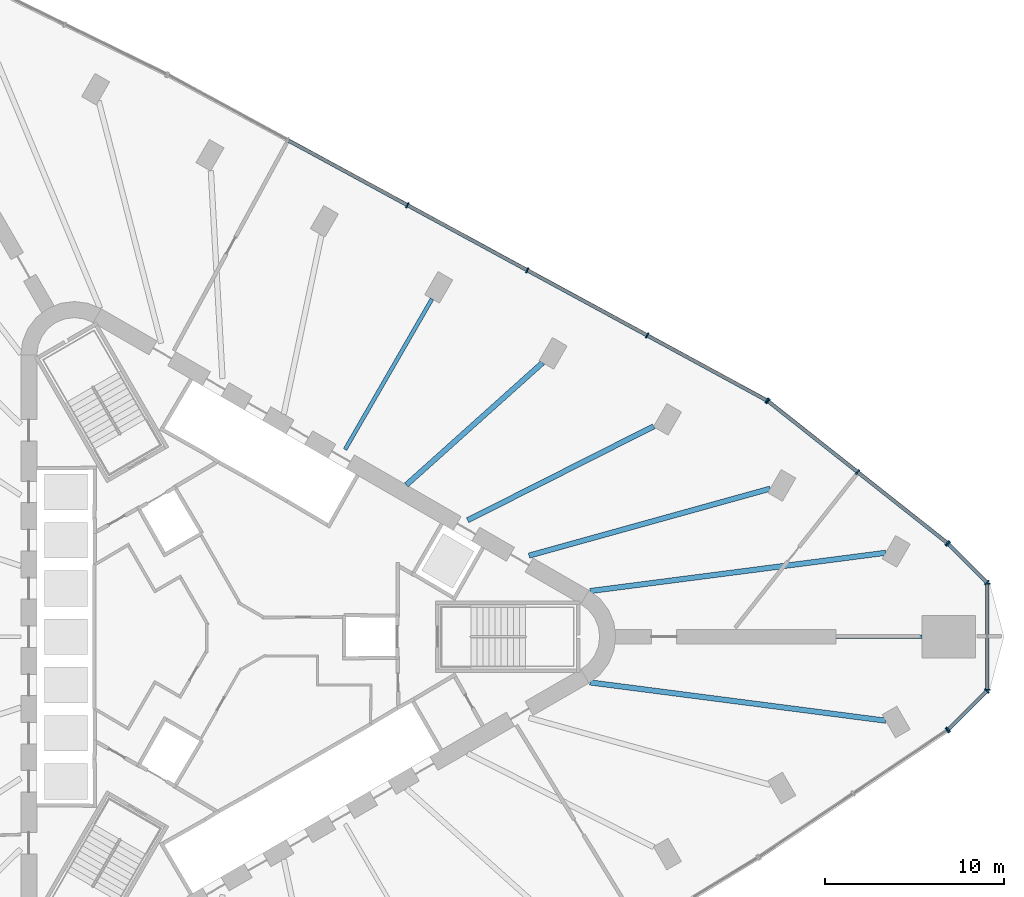
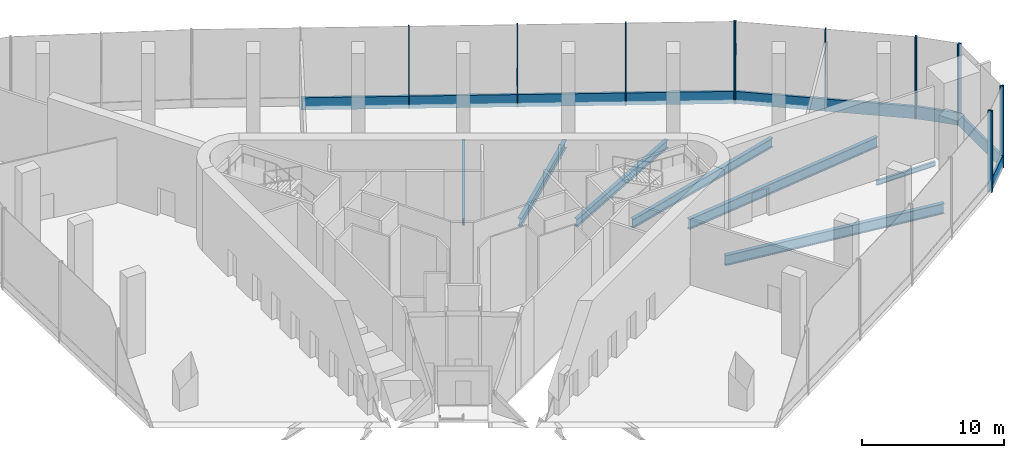
# One storey, part 5 of 15: 23 members, 7 beams, 6 elements without a shape of their own.
"""IFC4 building model written with IfcOpenShell, lengths in metres."""

from ifc_helpers import new_model, si_unit, direction, frame, origin, origin_2d, place, context, subcontext, project, spatial, rectangle, i_section, extrude, material, material_profile, profile_set, type_object, element, aggregate, save


model = new_model("IFC4")

# Units and contexts
model_context = context("Model", 3, precision=1e-05, world=origin(), true_north=direction((0.0, 1.0)))
body_context = subcontext(model_context, "Body", "Model", "MODEL_VIEW")
ifc_project = project(units=[si_unit("LENGTHUNIT", "METRE"), si_unit("AREAUNIT", "SQUARE_METRE"), si_unit("VOLUMEUNIT", "CUBIC_METRE"), si_unit("PLANEANGLEUNIT", "RADIAN"), si_unit("MASSUNIT", "GRAM", prefix="KILO")], contexts=[model_context])

# Site, building, storey
site_placement = place(None, origin())
site = spatial("IfcSite", under=ifc_project, at=site_placement, CompositionType="ELEMENT")
building_placement = place(site_placement, origin())
building = spatial("IfcBuilding", under=site, at=building_placement, Name="Tanit Gate Tower", CompositionType="ELEMENT")
storey_placement = place(building_placement, frame((0.0, 0.0, 156.199951171875)))
storey = spatial("IfcBuildingStorey", under=building, at=storey_placement, Name="L34", CompositionType="ELEMENT", Elevation=156.199951171875)

# Curtain wall, members
ifc_material_1 = material(Name="Aluminium bronze anodised and glass", Category="aluminium")
curtain_wall_type = type_object("IfcCurtainWallType", Name="Curtain wall sky lobby", PredefinedType="NOTDEFINED", material=ifc_material_1)
curtain_wall_1_placement = place(storey_placement, origin())
curtain_wall_1 = element("IfcCurtainWall", 1, at=curtain_wall_1_placement, inside=storey, type_object=curtain_wall_type, Name="Curtain wall L34 NE1", PredefinedType="NOTDEFINED")
ifc_material_2 = material(Name="Aluminium bronze anodised", Category="aluminium")
ifc_material_profile_1 = material_profile(ifc_material_2, rectangle(XDim=0.320068359375, YDim=0.080078125, at=origin_2d()), Name="80x320 bronze mullion")
ifc_profile_set_1 = profile_set([ifc_material_profile_1], Name="Aluminium bronze anodised")
member_type_1 = type_object("IfcMemberType", Name="Mullion 80x320 sky lobby", PredefinedType="MULLION", material=ifc_profile_set_1)
member_1_placement = place(storey_placement, frame((39.75146484375, 5.247802734375, -0.349853515625), z_axis=(0.0, 0.0, 1.0), x_axis=(-0.620461926441, -0.784236570072, 0.0)))
member_1 = element("IfcMember", 2, at=member_1_placement, type_object=member_type_1, Name="Mullion L34 NE1.1", PredefinedType="MULLION", context=body_context, shape_type="SweptSolid", body=[
    extrude(rectangle(XDim=0.320068359375, YDim=0.080078125, at=origin_2d()), origin(), (0.0, 0.0, 1.0), 7.0),
])
member_2_placement = place(storey_placement, frame((34.738037109375, 9.21435546875, -0.349853515625), z_axis=(0.0, 0.0, 1.0), x_axis=(-0.620461926441, -0.784236570072, 0.0)))
member_2 = element("IfcMember", 3, at=member_2_placement, type_object=member_type_1, Name="Mullion L34 NE1.2", PredefinedType="MULLION", context=body_context, shape_type="SweptSolid", body=[
    extrude(rectangle(XDim=0.320068359375, YDim=0.080078125, at=origin_2d()), origin(), (0.0, 0.0, 1.0), 7.0),
])
member_3_placement = place(storey_placement, frame((29.724609375, 13.180908203125, -0.349853515625), z_axis=(0.0, 0.0, 1.0), x_axis=(-0.620461926441, -0.784236570072, 0.0)))
member_3 = element("IfcMember", 4, at=member_3_placement, type_object=member_type_1, Name="Mullion L34 NE1.3", PredefinedType="MULLION", context=body_context, shape_type="SweptSolid", body=[
    extrude(rectangle(XDim=0.320068359375, YDim=0.080078125, at=origin_2d()), origin(), (0.0, 0.0, 1.0), 7.0),
])

curtain_wall_2_placement = place(storey_placement, origin())
curtain_wall_2 = element("IfcCurtainWall", 5, at=curtain_wall_2_placement, inside=storey, type_object=curtain_wall_type, Name="Curtain wall L34 NE2", PredefinedType="NOTDEFINED")
member_4_placement = place(storey_placement, frame((29.657958984375, 13.224853515625, -0.349853515625), z_axis=(0.0, 0.0, 1.0), x_axis=(-0.477381131015, -0.87869633876, 0.0)))
member_4 = element("IfcMember", 6, at=member_4_placement, type_object=member_type_1, Name="Mullion L34 NE2.1", PredefinedType="MULLION", context=body_context, shape_type="SweptSolid", body=[
    extrude(rectangle(XDim=0.320068359375, YDim=0.080078125, at=origin_2d()), origin(), (0.0, 0.0, 1.0), 7.0),
])
member_5_placement = place(storey_placement, frame((22.9521484375, 16.867919921875, -0.349853515625), z_axis=(0.0, 0.0, 1.0), x_axis=(-0.477381131015, -0.87869633876, 0.0)))
member_5 = element("IfcMember", 7, at=member_5_placement, type_object=member_type_1, Name="Mullion L34 NE2.2", PredefinedType="MULLION", context=body_context, shape_type="SweptSolid", body=[
    extrude(rectangle(XDim=0.320068359375, YDim=0.080078125, at=origin_2d()), origin(), (0.0, 0.0, 1.0), 7.0),
])
member_6_placement = place(storey_placement, frame((16.24609375, 20.51123046875, -0.349853515625), z_axis=(0.0, 0.0, 1.0), x_axis=(-0.477381131015, -0.87869633876, 0.0)))
member_6 = element("IfcMember", 8, at=member_6_placement, type_object=member_type_1, Name="Mullion L34 NE2.3", PredefinedType="MULLION", context=body_context, shape_type="SweptSolid", body=[
    extrude(rectangle(XDim=0.320068359375, YDim=0.080078125, at=origin_2d()), origin(), (0.0, 0.0, 1.0), 7.0),
])
member_7_placement = place(storey_placement, frame((9.5400390625, 24.154541015625, -0.349853515625), z_axis=(0.0, 0.0, 1.0), x_axis=(-0.477381131015, -0.87869633876, 0.0)))
member_7 = element("IfcMember", 9, at=member_7_placement, type_object=member_type_1, Name="Mullion L34 NE2.4", PredefinedType="MULLION", context=body_context, shape_type="SweptSolid", body=[
    extrude(rectangle(XDim=0.320068359375, YDim=0.080078125, at=origin_2d()), origin(), (0.0, 0.0, 1.0), 7.0),
])

# Curtain wall, member
curtain_wall_3_placement = place(storey_placement, origin())
curtain_wall_3 = element("IfcCurtainWall", 10, at=curtain_wall_3_placement, inside=storey, type_object=curtain_wall_type, Name="Curtain wall L34 SE3", PredefinedType="NOTDEFINED")
member_8_placement = place(storey_placement, frame((39.7529296875, -5.2421875, -0.349853515625), z_axis=(0.0, 0.0, 1.0), x_axis=(-0.558407554309, 0.82956675638, 0.0)))
member_8 = element("IfcMember", 11, at=member_8_placement, type_object=member_type_1, Name="Mullion L34 SE3.3", PredefinedType="MULLION", context=body_context, shape_type="SweptSolid", body=[
    extrude(rectangle(XDim=0.320068359375, YDim=0.080078125, at=origin_2d()), origin(), (0.0, 0.0, 1.0), 7.0),
])
aggregate(curtain_wall_3, [member_8])

# Curtain wall, members
curtain_wall_4_placement = place(storey_placement, origin())
curtain_wall_4 = element("IfcCurtainWall", 12, at=curtain_wall_4_placement, inside=storey, type_object=curtain_wall_type, Name="Curtain wall L34 E.arc1", PredefinedType="NOTDEFINED")
member_9_placement = place(storey_placement, frame((39.814453125, -5.19140625, -0.349853515625), z_axis=(0.0, 0.0, 1.0), x_axis=(-0.707106781187, 0.707106781187, 0.0)))
member_9 = element("IfcMember", 13, at=member_9_placement, type_object=member_type_1, Name="Mullion L34 E.arc1.1", PredefinedType="MULLION", context=body_context, shape_type="SweptSolid", body=[
    extrude(rectangle(XDim=0.320068359375, YDim=0.080078125, at=origin_2d()), origin(), (0.0, 0.0, 1.0), 7.0),
])
member_10_placement = place(storey_placement, frame((41.972412109375, -3.033447265625, -0.349853515625), z_axis=(0.0, 0.0, 1.0), x_axis=(-0.707106781187, 0.707106781187, 0.0)))
member_10 = element("IfcMember", 14, at=member_10_placement, type_object=member_type_1, Name="Mullion L34 E.arc1.2", PredefinedType="MULLION", context=body_context, shape_type="SweptSolid", body=[
    extrude(rectangle(XDim=0.320068359375, YDim=0.080078125, at=origin_2d()), origin(), (0.0, 0.0, 1.0), 7.0),
])

curtain_wall_5_placement = place(storey_placement, origin())
curtain_wall_5 = element("IfcCurtainWall", 15, at=curtain_wall_5_placement, inside=storey, type_object=curtain_wall_type, Name="Curtain wall L34 E.arc2", PredefinedType="NOTDEFINED")
member_11_placement = place(storey_placement, frame((42.000732421875, -2.96533203125, -0.349853515625), z_axis=(0.0, 0.0, 1.0), x_axis=(-1.0, 0.0, 0.0)))
member_11 = element("IfcMember", 16, at=member_11_placement, type_object=member_type_1, Name="Mullion L34 E.arc2.1", PredefinedType="MULLION", context=body_context, shape_type="SweptSolid", body=[
    extrude(rectangle(XDim=0.320068359375, YDim=0.080078125, at=origin_2d()), origin(), (0.0, 0.0, 1.0), 7.0),
])
member_12_placement = place(storey_placement, frame((42.000732421875, 2.96533203125, -0.349853515625), z_axis=(0.0, 0.0, 1.0), x_axis=(-1.0, 0.0, 0.0)))
member_12 = element("IfcMember", 17, at=member_12_placement, type_object=member_type_1, Name="Mullion L34 E.arc2.2", PredefinedType="MULLION", context=body_context, shape_type="SweptSolid", body=[
    extrude(rectangle(XDim=0.320068359375, YDim=0.080078125, at=origin_2d()), origin(), (0.0, 0.0, 1.0), 7.0),
])

curtain_wall_6_placement = place(storey_placement, origin())
curtain_wall_6 = element("IfcCurtainWall", 18, at=curtain_wall_6_placement, inside=storey, type_object=curtain_wall_type, Name="Curtain wall L34 E.arc3", PredefinedType="NOTDEFINED")
member_13_placement = place(storey_placement, frame((41.972412109375, 3.033447265625, -0.349853515625), z_axis=(0.0, 0.0, 1.0), x_axis=(-0.707106781187, -0.707106781187, 0.0)))
member_13 = element("IfcMember", 19, at=member_13_placement, type_object=member_type_1, Name="Mullion L34 E.arc3.1", PredefinedType="MULLION", context=body_context, shape_type="SweptSolid", body=[
    extrude(rectangle(XDim=0.320068359375, YDim=0.080078125, at=origin_2d()), origin(), (0.0, 0.0, 1.0), 7.0),
])
member_14_placement = place(storey_placement, frame((39.811279296875, 5.19482421875, -0.349853515625), z_axis=(0.0, 0.0, 1.0), x_axis=(-0.707106781187, -0.707106781187, 0.0)))
member_14 = element("IfcMember", 20, at=member_14_placement, type_object=member_type_1, Name="Mullion L34 E.arc3.2", PredefinedType="MULLION", context=body_context, shape_type="SweptSolid", body=[
    extrude(rectangle(XDim=0.320068359375, YDim=0.080078125, at=origin_2d()), origin(), (0.0, 0.0, 1.0), 7.0),
])

# Beams
ifc_material_3 = material(Name="Steel S355", Category="steel")
ifc_material_profile_2 = material_profile(ifc_material_3, i_section(OverallWidth=0.300048828125, OverallDepth=0.68994140625, WebThickness=0.014404296875, FlangeThickness=0.027099609375, FilletRadius=0.027099609375, at=origin_2d()), Name="HEA 700")
ifc_profile_set_2 = profile_set([ifc_material_profile_2], Name="Steel S355")
beam_type_1 = type_object("IfcBeamType", Name="RADIAL GIRDER HEA 700 S355", PredefinedType="BEAM", material=ifc_profile_set_2)
beam_1_placement = place(storey_placement, frame((23.3193359375, 11.774658203125, -0.695068359375), z_axis=(-0.892657080142, -0.450736438811, 0.0), x_axis=(0.450736438811, -0.892657080142, 0.0)))
element("IfcBeam", 21, at=beam_1_placement, inside=storey, type_object=beam_type_1, Name="RADIAL GIRDER", PredefinedType="BEAM", context=body_context, shape_type="SweptSolid", body=[
    extrude(i_section(OverallWidth=0.300048828125, OverallDepth=0.68994140625, WebThickness=0.014404296875, FlangeThickness=0.027099609375, FilletRadius=0.027099609375, at=origin_2d()), origin(), (0.0, 0.0, 1.0), 11.658935546875),
])
beam_2_placement = place(storey_placement, frame((17.104736328125, 15.33447265625, -0.695068359375), z_axis=(-0.744579249177, -0.667534075307, 0.0), x_axis=(0.667534075307, -0.744579249177, 0.0)))
element("IfcBeam", 22, at=beam_2_placement, inside=storey, type_object=beam_type_1, Name="RADIAL GIRDER", PredefinedType="BEAM", context=body_context, shape_type="SweptSolid", body=[
    extrude(i_section(OverallWidth=0.300048828125, OverallDepth=0.68994140625, WebThickness=0.014404296875, FlangeThickness=0.027099609375, FilletRadius=0.027099609375, at=origin_2d()), origin(), (0.0, 0.0, 1.0), 10.23828125),
])
ifc_material_4 = material(Name="Steel S355", Category="steel")
ifc_material_profile_3 = material_profile(ifc_material_4, i_section(OverallWidth=0.300048828125, OverallDepth=0.7900390625, WebThickness=0.014892578125, FlangeThickness=0.028076171875, FilletRadius=0.030029296875, at=origin_2d()), Name="HEA 800")
ifc_profile_set_3 = profile_set([ifc_material_profile_3], Name="Steel S355")
beam_type_2 = type_object("IfcBeamType", Name="RADIAL GIRDER HEA 800 S355", PredefinedType="BEAM", material=ifc_profile_set_3)
beam_3_placement = place(storey_placement, frame((29.841552734375, 8.288330078125, -0.744873046875), z_axis=(-0.9635276455, -0.267608812181, 0.0), x_axis=(0.267608812181, -0.9635276455, 0.0)))
element("IfcBeam", 23, at=beam_3_placement, inside=storey, type_object=beam_type_2, Name="RADIAL GIRDER", PredefinedType="BEAM", context=body_context, shape_type="SweptSolid", body=[
    extrude(i_section(OverallWidth=0.300048828125, OverallDepth=0.7900390625, WebThickness=0.014892578125, FlangeThickness=0.028076171875, FilletRadius=0.030029296875, at=origin_2d()), origin(), (0.0, 0.0, 1.0), 14.01025390625),
])
ifc_material_5 = material(Name="Steel S355", Category="steel")
ifc_material_profile_4 = material_profile(ifc_material_5, i_section(OverallWidth=0.300048828125, OverallDepth=0.889892578125, WebThickness=0.01611328125, FlangeThickness=0.030029296875, FilletRadius=0.030029296875, at=origin_2d()), Name="HEA 900")
ifc_profile_set_4 = profile_set([ifc_material_profile_4], Name="Steel S355")
beam_type_3 = type_object("IfcBeamType", Name="RADIAL GIRDER HEA 900 S355", PredefinedType="BEAM", material=ifc_profile_set_4)
for number, where, z_axis, x_axis, name in (
    (24, (36.302978515625, -4.697509765625, -0.794921875), (-0.991730467471, 0.128338146668, 0.0), (-0.128338146668, -0.991730467471, 0.0), "RADIAL GIRDER"),
    (25, (36.302978515625, 4.697509765625, -0.794921875), (-0.991730467471, -0.128338146668, 0.0), (0.128338146668, -0.991730467471, 0.0), "RADIAL GIRDER"),
):
    element("IfcBeam", number, at=place(storey_placement, frame(where, z_axis=z_axis, x_axis=x_axis)), inside=storey, type_object=beam_type_3, Name=name, PredefinedType="BEAM", context=body_context, shape_type="SweptSolid", body=[
        extrude(i_section(OverallWidth=0.300048828125, OverallDepth=0.889892578125, WebThickness=0.01611328125, FlangeThickness=0.030029296875, FilletRadius=0.030029296875, at=origin_2d()), origin(), (0.0, 0.0, 1.0), 16.683349609375),
    ])
ifc_material_6 = material(Name="Steel S355", Category="steel")
ifc_material_profile_5 = material_profile(ifc_material_6, i_section(OverallWidth=0.179931640625, OverallDepth=0.39990234375, WebThickness=0.008544921875, FlangeThickness=0.013427734375, FilletRadius=0.02099609375, at=origin_2d()), Name="IPE 400")
ifc_profile_set_5 = profile_set([ifc_material_profile_5], Name="Steel S355")
beam_type_4 = type_object("IfcBeamType", Name="RADIAL GIRDER IPE 400 S355", PredefinedType="BEAM", material=ifc_profile_set_5)
beam_4_placement = place(storey_placement, frame((38.330078125, 0.0, -0.550048828125), z_axis=(-1.0, 0.0, 0.0), x_axis=(0.0, -1.0, 0.0)))
element("IfcBeam", 26, at=beam_4_placement, inside=storey, type_object=beam_type_4, Name="RADIAL GIRDER", PredefinedType="BEAM", context=body_context, shape_type="SweptSolid", body=[
    extrude(i_section(OverallWidth=0.179931640625, OverallDepth=0.39990234375, WebThickness=0.008544921875, FlangeThickness=0.013427734375, FilletRadius=0.02099609375, at=origin_2d()), origin(), (0.0, 0.0, 1.0), 4.79638671875),
])
ifc_material_7 = material(Name="Steel S355", Category="steel")
ifc_material_profile_6 = material_profile(ifc_material_7, i_section(OverallWidth=0.219970703125, OverallDepth=0.60009765625, WebThickness=0.011962890625, FlangeThickness=0.01904296875, FilletRadius=0.02392578125, at=origin_2d()), Name="IPE 600")
ifc_profile_set_6 = profile_set([ifc_material_profile_6], Name="Steel S355")
beam_type_5 = type_object("IfcBeamType", Name="RADIAL GIRDER IPE 600 S355", PredefinedType="BEAM", material=ifc_profile_set_6)
beam_5_placement = place(storey_placement, frame((10.916259765625, 18.907470703125, -0.64990234375), z_axis=(-0.500003351622, -0.866023468716, 0.0), x_axis=(0.866023468716, -0.500003351622, 0.0)))
element("IfcBeam", 27, at=beam_5_placement, inside=storey, type_object=beam_type_5, Name="RADIAL GIRDER", PredefinedType="BEAM", context=body_context, shape_type="SweptSolid", body=[
    extrude(i_section(OverallWidth=0.219970703125, OverallDepth=0.60009765625, WebThickness=0.011962890625, FlangeThickness=0.01904296875, FilletRadius=0.02392578125, at=origin_2d()), origin(), (0.0, 0.0, 1.0), 9.73046875),
])

# Member
ifc_material_8 = material(Name="Aluminium bronze anodised", Category="aluminium")
ifc_material_profile_7 = material_profile(ifc_material_8, rectangle(XDim=0.199951171875, YDim=1.050048828125, at=origin_2d()), Name="200x1050 bronze transom")
ifc_profile_set_7 = profile_set([ifc_material_profile_7], Name="Aluminium bronze anodised")
member_type_2 = type_object("IfcMemberType", Name="Transom 200x1050 sky lobby", PredefinedType="USERDEFINED", material=ifc_profile_set_7)
member_15_placement = place(storey_placement, frame((39.72021484375, 5.272705078125, 0.175048828125), z_axis=(-0.784241840796, 0.620455264419, 0.0), x_axis=(-0.620455264419, -0.784241840796, 0.0)))
member_15 = element("IfcMember", 28, at=member_15_placement, type_object=member_type_2, Name="Transom L34 NE1.1", ObjectType="TRANSOM", PredefinedType="USERDEFINED", context=body_context, shape_type="SweptSolid", body=[
    extrude(rectangle(XDim=0.199951171875, YDim=1.050048828125, at=origin_2d()), origin(), (0.0, 0.0, 1.0), 6.312744140625),
])

member_16_placement = place(storey_placement, frame((34.706787109375, 9.2392578125, 0.175048828125), z_axis=(-0.784256728443, 0.620436446295, 0.0), x_axis=(-0.620436446295, -0.784256728443, 0.0)))
member_16 = element("IfcMember", 29, at=member_16_placement, type_object=member_type_2, Name="Transom L34 NE1.2", ObjectType="TRANSOM", PredefinedType="USERDEFINED", context=body_context, shape_type="SweptSolid", body=[
    extrude(rectangle(XDim=0.199951171875, YDim=1.050048828125, at=origin_2d()), origin(), (0.0, 0.0, 1.0), 6.31298828125),
])

aggregate(curtain_wall_1, [member_1, member_2, member_3, member_15, member_16])

member_17_placement = place(storey_placement, frame((29.623046875, 13.243896484375, 0.175048828125), z_axis=(-0.878702342272, 0.477370080426, 0.0), x_axis=(-0.477370080426, -0.878702342272, 0.0)))
member_17 = element("IfcMember", 30, at=member_17_placement, type_object=member_type_2, Name="Transom L34 NE2.1", ObjectType="TRANSOM", PredefinedType="USERDEFINED", context=body_context, shape_type="SweptSolid", body=[
    extrude(rectangle(XDim=0.199951171875, YDim=1.050048828125, at=origin_2d()), origin(), (0.0, 0.0, 1.0), 7.5517578125),
])

member_18_placement = place(storey_placement, frame((22.9169921875, 16.88720703125, 0.175048828125), z_axis=(-0.878702342272, 0.477370080426, 0.0), x_axis=(-0.477370080426, -0.878702342272, 0.0)))
member_18 = element("IfcMember", 31, at=member_18_placement, type_object=member_type_2, Name="Transom L34 NE2.2", ObjectType="TRANSOM", PredefinedType="USERDEFINED", context=body_context, shape_type="SweptSolid", body=[
    extrude(rectangle(XDim=0.199951171875, YDim=1.050048828125, at=origin_2d()), origin(), (0.0, 0.0, 1.0), 7.5517578125),
])

member_19_placement = place(storey_placement, frame((16.2109375, 20.5302734375, 0.175048828125), z_axis=(-0.878688781202, 0.477395041648, 0.0), x_axis=(-0.477395041648, -0.878688781202, 0.0)))
member_19 = element("IfcMember", 32, at=member_19_placement, type_object=member_type_2, Name="Transom L34 NE2.3", ObjectType="TRANSOM", PredefinedType="USERDEFINED", context=body_context, shape_type="SweptSolid", body=[
    extrude(rectangle(XDim=0.199951171875, YDim=1.050048828125, at=origin_2d()), origin(), (0.0, 0.0, 1.0), 7.5517578125),
])

member_20_placement = place(storey_placement, frame((9.5048828125, 24.173583984375, 0.175048828125), z_axis=(-0.878688781202, 0.477395041648, 0.0), x_axis=(-0.477395041648, -0.878688781202, 0.0)))
member_20 = element("IfcMember", 33, at=member_20_placement, type_object=member_type_2, Name="Transom L34 NE2.4", ObjectType="TRANSOM", PredefinedType="USERDEFINED", context=body_context, shape_type="SweptSolid", body=[
    extrude(rectangle(XDim=0.199951171875, YDim=1.050048828125, at=origin_2d()), origin(), (0.0, 0.0, 1.0), 7.5517578125),
])

aggregate(curtain_wall_2, [member_4, member_5, member_6, member_7, member_17, member_18, member_19, member_20])

member_21_placement = place(storey_placement, frame((39.8427734375, -5.1630859375, 0.175048828125), z_axis=(0.707106781187, 0.707106781187, 0.0), x_axis=(-0.707106781187, 0.707106781187, 0.0)))
member_21 = element("IfcMember", 34, at=member_21_placement, type_object=member_type_2, Name="Transom L34 E.arc1.1", ObjectType="TRANSOM", PredefinedType="USERDEFINED", context=body_context, shape_type="SweptSolid", body=[
    extrude(rectangle(XDim=0.199951171875, YDim=1.050048828125, at=origin_2d()), origin(), (0.0, 0.0, 1.0), 2.9716796875),
])

aggregate(curtain_wall_4, [member_9, member_10, member_21])

member_22_placement = place(storey_placement, frame((42.000732421875, -2.92529296875, 0.175048828125), z_axis=(0.0, 1.0, 0.0), x_axis=(-1.0, 0.0, 0.0)))
member_22 = element("IfcMember", 35, at=member_22_placement, type_object=member_type_2, Name="Transom L34 E.arc2.1", ObjectType="TRANSOM", PredefinedType="USERDEFINED", context=body_context, shape_type="SweptSolid", body=[
    extrude(rectangle(XDim=0.199951171875, YDim=1.050048828125, at=origin_2d()), origin(), (0.0, 0.0, 1.0), 5.8505859375),
])

aggregate(curtain_wall_5, [member_11, member_12, member_22])

member_23_placement = place(storey_placement, frame((41.944091796875, 3.061767578125, 0.175048828125), z_axis=(-0.707106781187, 0.707106781187, 0.0), x_axis=(-0.707106781187, -0.707106781187, 0.0)))
member_23 = element("IfcMember", 36, at=member_23_placement, type_object=member_type_2, Name="Transom L34 E.arc3.1", ObjectType="TRANSOM", PredefinedType="USERDEFINED", context=body_context, shape_type="SweptSolid", body=[
    extrude(rectangle(XDim=0.199951171875, YDim=1.050048828125, at=origin_2d()), origin(), (0.0, 0.0, 1.0), 2.9765625),
])

aggregate(curtain_wall_6, [member_13, member_14, member_23])

save(model, "model.ifc")
